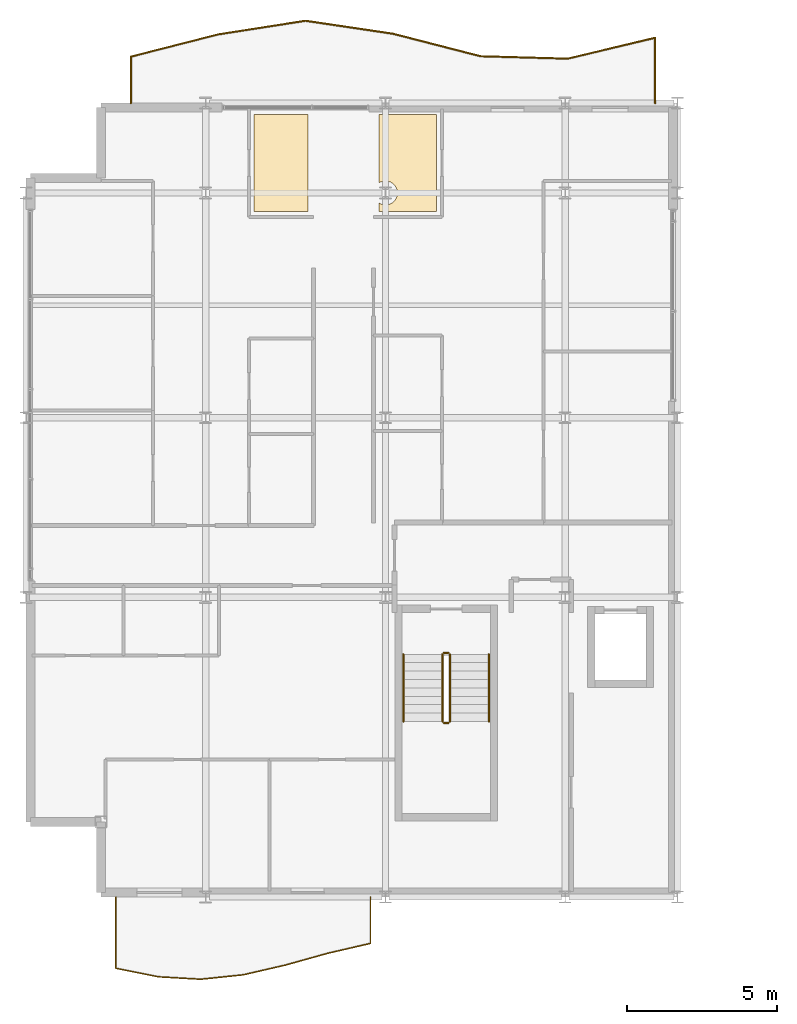
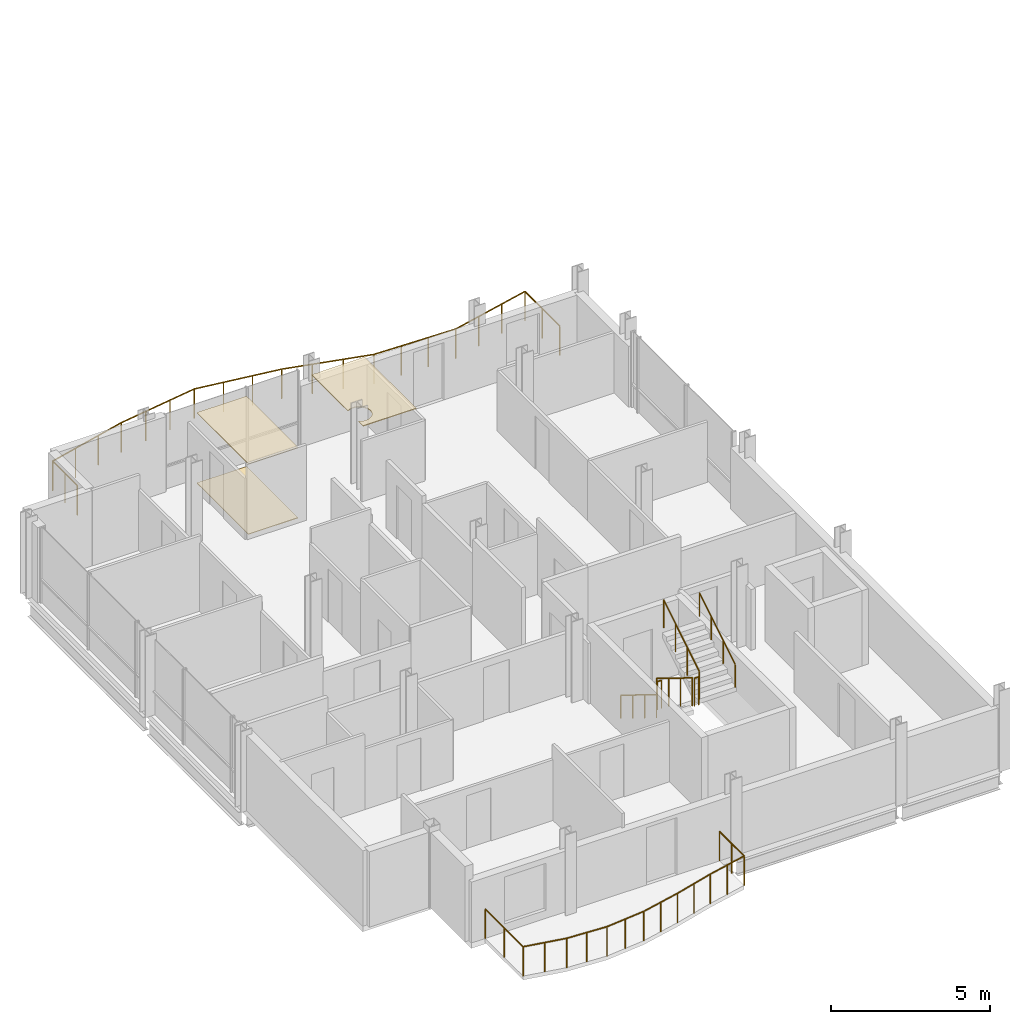
# One storey, part 26 of 27: 8 railings, 3 coverings.
"""IFC4 building model written with IfcOpenShell, lengths in metres."""

from ifc_helpers import new_model, si_unit, direction, frame, origin, origin_2d, place, context, subcontext, project, spatial, polyline, circle, outline, extrude, material, layer, layer_set, type_object, element, save


model = new_model("IFC4")

# Units and contexts
model_context = context("Model", 3, precision=1e-05, world=origin(), true_north=direction((0.0, 1.0)))
body_context = subcontext(model_context, "Body", "Model", "MODEL_VIEW")
ifc_project = project(units=[si_unit("LENGTHUNIT", "METRE"), si_unit("AREAUNIT", "SQUARE_METRE"), si_unit("VOLUMEUNIT", "CUBIC_METRE"), si_unit("PLANEANGLEUNIT", "RADIAN"), si_unit("MASSUNIT", "GRAM", prefix="KILO")], contexts=[model_context])

# Site, building, storey
site_placement = place(None, origin())
site = spatial("IfcSite", under=ifc_project, at=site_placement, CompositionType="ELEMENT")
building_placement = place(site_placement, origin())
building = spatial("IfcBuilding", under=site, at=building_placement, Name="Brevholm Reach", CompositionType="ELEMENT")
storey_placement = place(building_placement, frame((0.0, 0.0, 195.60009765625)))
storey = spatial("IfcBuildingStorey", under=building, at=storey_placement, Name="L59", CompositionType="ELEMENT", Elevation=195.60009765625)

# Coverings
ifc_material_1 = material(Name="Moisture-Resistant Skimmed Gypsum Plasterboard Ceiling", Category="gypsum")
ifc_layer_1 = layer(ifc_material_1, 0.030029296875)
ifc_layer_set_1 = layer_set([ifc_layer_1], Name="Moisture-Resistant Skimmed Gypsum Plasterboard Ceiling")
covering_type_1 = type_object("IfcCoveringType", Name="COV-CLG-GYP", PredefinedType="CEILING", material=ifc_layer_set_1)
covering_1_placement = place(storey_placement, frame((0.0, 0.0, 2.68994140625)))
element("IfcCovering", 1, at=covering_1_placement, inside=storey, type_object=covering_type_1, Name="L59 Suspended Ceiling L59-28", PredefinedType="CEILING", context=body_context, shape_type="SweptSolid", body=[
    extrude(outline(polyline([(7.617919921875, 26.1201171875), (9.419921875, 26.1201171875), (9.419921875, 22.8798828125), (7.617919921875, 22.8798828125), (7.617919921875, 26.1201171875)])), origin(), (0.0, 0.0, 1.0), 0.030029296875),
])
covering_2_placement = place(storey_placement, frame((0.0, 0.0, 2.68994140625)))
element("IfcCovering", 2, at=covering_2_placement, inside=storey, type_object=covering_type_1, Name="L59 Suspended Ceiling L59-35", PredefinedType="CEILING", context=body_context, shape_type="SweptSolid", body=[
    extrude(outline(polyline([(11.780029296875, 23.166015625), (11.811279296875, 23.147216796875), (11.846923828125, 23.13037109375), (11.8837890625, 23.1171875), (11.922119140625, 23.107666015625), (11.960693359375, 23.101806640625), (12.0, 23.10009765625), (12.039306640625, 23.101806640625), (12.077880859375, 23.107666015625), (12.1162109375, 23.1171875), (12.153076171875, 23.13037109375), (12.188720703125, 23.147216796875), (12.22216796875, 23.16748046875), (12.25390625, 23.19091796875), (12.28271484375, 23.21728515625), (12.30908203125, 23.24609375), (12.33251953125, 23.27783203125), (12.352783203125, 23.311279296875), (12.36962890625, 23.346923828125), (12.3828125, 23.3837890625), (12.392333984375, 23.422119140625), (12.398193359375, 23.460693359375), (12.39990234375, 23.5), (12.398193359375, 23.539306640625), (12.392333984375, 23.577880859375), (12.3828125, 23.6162109375), (12.36962890625, 23.653076171875), (12.352783203125, 23.688720703125), (12.33251953125, 23.72216796875), (12.30908203125, 23.75390625), (12.28271484375, 23.78271484375), (12.25390625, 23.80908203125), (12.22216796875, 23.83251953125), (12.188720703125, 23.852783203125), (12.153076171875, 23.86962890625), (12.1162109375, 23.8828125), (12.077880859375, 23.892333984375), (12.039306640625, 23.898193359375), (12.0, 23.89990234375), (11.960693359375, 23.898193359375), (11.922119140625, 23.892333984375), (11.8837890625, 23.8828125), (11.846923828125, 23.86962890625), (11.811279296875, 23.852783203125), (11.780029296875, 23.833984375), (11.780029296875, 26.1201171875), (11.876220703125, 26.1201171875), (11.8837890625, 26.1171875), (11.922119140625, 26.107666015625), (11.960693359375, 26.101806640625), (12.0, 26.10009765625), (12.039306640625, 26.101806640625), (12.077880859375, 26.107666015625), (12.1162109375, 26.1171875), (12.123779296875, 26.1201171875), (13.708984375, 26.1201171875), (13.708984375, 22.8798828125), (11.780029296875, 22.8798828125), (11.780029296875, 23.166015625)])), origin(), (0.0, 0.0, 1.0), 0.030029296875),
])
ifc_material_2 = material(Name="Engineered European Oak Acoustic Plank Flooring", Category="timber")
ifc_layer_2 = layer(ifc_material_2, 0.02197265625)
ifc_layer_set_2 = layer_set([ifc_layer_2], Name="Engineered European Oak Acoustic Plank Flooring")
covering_type_2 = type_object("IfcCoveringType", Name="COV-FLR-OAK", PredefinedType="FLOORING", material=ifc_layer_set_2)
covering_3_placement = place(storey_placement, origin())
element("IfcCovering", 3, at=covering_3_placement, inside=storey, type_object=covering_type_2, Name="L59 Floor Finish L59-28", PredefinedType="FLOORING", context=body_context, shape_type="SweptSolid", body=[
    extrude(outline(polyline([(7.617919921875, 26.1201171875), (9.419921875, 26.1201171875), (9.419921875, 22.8798828125), (7.617919921875, 22.8798828125), (7.617919921875, 26.1201171875)])), origin(), (0.0, 0.0, 1.0), 0.02197265625),
])

# Railings
ifc_material_3 = material(Name="Brushed Stainless Steel EN 1.4401 and Laminated Glass", Category="steel")
railing_type_1 = type_object("IfcRailingType", Name="RAL-BALC-1150", PredefinedType="BALUSTRADE", material=ifc_material_3)
railing_1_placement = place(storey_placement, frame((21.0, 26.5, 0.0)))
element("IfcRailing", 4, at=railing_1_placement, inside=storey, type_object=railing_type_1, Name="L59 Guard Balustrade RAL-L59-BAL-NW", PredefinedType="BALUSTRADE", context=body_context, shape_type="SweptSolid", body=[
    extrude(circle(Radius=0.02392578125, at=origin_2d()), frame((0.0, 0.0, 1.1259765625), z_axis=(0.0, 1.0, 0.0), x_axis=(-1.0, 0.0, 0.0)), (0.0, 0.0, 1.0), 2.1806640625),
    extrude(circle(Radius=0.02392578125, at=origin_2d()), frame((0.0, 2.1806640625, 1.1259765625), z_axis=(-0.972687280988, -0.232119480882, 0.0), x_axis=(0.232119480882, -0.972687280988, 0.0)), (0.0, 0.0, 1.0), 2.99853515625),
    extrude(circle(Radius=0.02392578125, at=origin_2d()), frame((-2.916748046875, 1.484619140625, 1.1259765625), z_axis=(-0.999614033457, 0.027781002771, 0.0), x_axis=(-0.027781002771, -0.999614033457, 0.0)), (0.0, 0.0, 1.0), 2.917724609375),
    extrude(circle(Radius=0.02392578125, at=origin_2d()), frame((-5.833251953125, 1.565673828125, 1.1259765625), z_axis=(-0.968396782901, 0.249414656482, 0.0), x_axis=(-0.249414656482, -0.968396782901, 0.0)), (0.0, 0.0, 1.0), 3.011962890625),
    extrude(circle(Radius=0.02392578125, at=origin_2d()), frame((-8.75, 2.31689453125, 1.1259765625), z_axis=(-0.989154508095, 0.146878722471, 0.0), x_axis=(-0.146878722471, -0.989154508095, 0.0)), (0.0, 0.0, 1.0), 2.94873046875),
    extrude(circle(Radius=0.02392578125, at=origin_2d()), frame((-11.666748046875, 2.75, 1.1259765625), z_axis=(-0.988044338858, -0.154169985571, 0.0), x_axis=(0.154169985571, -0.988044338858, 0.0)), (0.0, 0.0, 1.0), 2.951904296875),
    extrude(circle(Radius=0.02392578125, at=origin_2d()), frame((-14.583251953125, 2.294921875, 1.1259765625), z_axis=(-0.968923500885, -0.24736056564, 0.0), x_axis=(0.24736056564, -0.968923500885, 0.0)), (0.0, 0.0, 1.0), 3.01025390625),
    extrude(circle(Radius=0.02392578125, at=origin_2d()), frame((-17.5, 1.55029296875, 1.1259765625), z_axis=(0.0, -1.0, 0.0), x_axis=(1.0, 0.0, 0.0)), (0.0, 0.0, 1.0), 1.55029296875),
    extrude(circle(Radius=0.02099609375, at=origin_2d()), origin(), (0.0, 0.0, 1.0), 1.101806640625),
    extrude(circle(Radius=0.02099609375, at=origin_2d()), frame((0.0, 1.09033203125, 0.0)), (0.0, 0.0, 1.0), 1.101806640625),
    extrude(circle(Radius=0.02099609375, at=origin_2d()), frame((0.0, 2.1806640625, 0.0)), (0.0, 0.0, 1.0), 1.101806640625),
    extrude(circle(Radius=0.02099609375, at=origin_2d()), frame((-0.97216796875, 1.94873046875, 0.0)), (0.0, 0.0, 1.0), 1.101806640625),
    extrude(circle(Radius=0.02099609375, at=origin_2d()), frame((-1.944580078125, 1.716552734375, 0.0)), (0.0, 0.0, 1.0), 1.101806640625),
    extrude(circle(Radius=0.02099609375, at=origin_2d()), frame((-2.916748046875, 1.484619140625, 0.0)), (0.0, 0.0, 1.0), 1.101806640625),
    extrude(circle(Radius=0.02099609375, at=origin_2d()), frame((-3.888916015625, 1.51171875, 0.0)), (0.0, 0.0, 1.0), 1.101806640625),
    extrude(circle(Radius=0.02099609375, at=origin_2d()), frame((-4.861083984375, 1.53857421875, 0.0)), (0.0, 0.0, 1.0), 1.101806640625),
    extrude(circle(Radius=0.02099609375, at=origin_2d()), frame((-5.833251953125, 1.565673828125, 0.0)), (0.0, 0.0, 1.0), 1.101806640625),
    extrude(circle(Radius=0.02099609375, at=origin_2d()), frame((-6.805419921875, 1.816162109375, 0.0)), (0.0, 0.0, 1.0), 1.101806640625),
    extrude(circle(Radius=0.02099609375, at=origin_2d()), frame((-7.77783203125, 2.06640625, 0.0)), (0.0, 0.0, 1.0), 1.101806640625),
    extrude(circle(Radius=0.02099609375, at=origin_2d()), frame((-8.75, 2.31689453125, 0.0)), (0.0, 0.0, 1.0), 1.101806640625),
    extrude(circle(Radius=0.02099609375, at=origin_2d()), frame((-9.72216796875, 2.461181640625, 0.0)), (0.0, 0.0, 1.0), 1.101806640625),
    extrude(circle(Radius=0.02099609375, at=origin_2d()), frame((-10.694580078125, 2.605712890625, 0.0)), (0.0, 0.0, 1.0), 1.101806640625),
    extrude(circle(Radius=0.02099609375, at=origin_2d()), frame((-11.666748046875, 2.75, 0.0)), (0.0, 0.0, 1.0), 1.101806640625),
    extrude(circle(Radius=0.02099609375, at=origin_2d()), frame((-12.638916015625, 2.598388671875, 0.0)), (0.0, 0.0, 1.0), 1.101806640625),
    extrude(circle(Radius=0.02099609375, at=origin_2d()), frame((-13.611083984375, 2.446533203125, 0.0)), (0.0, 0.0, 1.0), 1.101806640625),
    extrude(circle(Radius=0.02099609375, at=origin_2d()), frame((-14.583251953125, 2.294921875, 0.0)), (0.0, 0.0, 1.0), 1.101806640625),
    extrude(circle(Radius=0.02099609375, at=origin_2d()), frame((-15.555419921875, 2.046630859375, 0.0)), (0.0, 0.0, 1.0), 1.101806640625),
    extrude(circle(Radius=0.02099609375, at=origin_2d()), frame((-16.52783203125, 1.798583984375, 0.0)), (0.0, 0.0, 1.0), 1.101806640625),
    extrude(circle(Radius=0.02099609375, at=origin_2d()), frame((-17.5, 1.55029296875, 0.0)), (0.0, 0.0, 1.0), 1.101806640625),
    extrude(circle(Radius=0.02099609375, at=origin_2d()), frame((-17.5, 0.775146484375, 0.0)), (0.0, 0.0, 1.0), 1.101806640625),
    extrude(circle(Radius=0.02099609375, at=origin_2d()), frame((-17.5, 0.0, 0.0)), (0.0, 0.0, 1.0), 1.101806640625),
])
railing_2_placement = place(storey_placement, frame((3.0, 0.0, 0.0)))
element("IfcRailing", 5, at=railing_2_placement, inside=storey, type_object=railing_type_1, Name="L59 Guard Balustrade RAL-L59-BAL-SW", PredefinedType="BALUSTRADE", context=body_context, shape_type="SweptSolid", body=[
    extrude(circle(Radius=0.02392578125, at=origin_2d()), frame((0.0, 0.0, 1.1259765625), z_axis=(0.0, -1.0, 0.0), x_axis=(1.0, 0.0, 0.0)), (0.0, 0.0, 1.0), 2.38134765625),
    extrude(circle(Radius=0.02392578125, at=origin_2d()), frame((0.0, -2.38134765625, 1.1259765625), z_axis=(0.980502614423, -0.196506038355, 0.0), x_axis=(0.196506038355, 0.980502614423, 0.0)), (0.0, 0.0, 1.0), 1.44482421875),
    extrude(circle(Radius=0.02392578125, at=origin_2d()), frame((1.416748046875, -2.665283203125, 1.1259765625), z_axis=(0.998327360231, -0.057814200799, 0.0), x_axis=(0.057814200799, 0.998327360231, 0.0)), (0.0, 0.0, 1.0), 1.4189453125),
    extrude(circle(Radius=0.02392578125, at=origin_2d()), frame((2.833251953125, -2.747314453125, 1.1259765625), z_axis=(0.994609205974, 0.103694394212, 0.0), x_axis=(-0.103694394212, 0.994609205974, 0.0)), (0.0, 0.0, 1.0), 1.42431640625),
    extrude(circle(Radius=0.02392578125, at=origin_2d()), frame((4.25, -2.599609375, 1.1259765625), z_axis=(0.974360057668, 0.224994395533, 0.0), x_axis=(-0.224994395533, 0.974360057668, 0.0)), (0.0, 0.0, 1.0), 1.4541015625),
    extrude(circle(Radius=0.02392578125, at=origin_2d()), frame((5.666748046875, -2.2724609375, 1.1259765625), z_axis=(0.963289212232, 0.268465814578, 0.0), x_axis=(-0.268465814578, 0.963289212232, 0.0)), (0.0, 0.0, 1.0), 1.470458984375),
    extrude(circle(Radius=0.02392578125, at=origin_2d()), frame((7.083251953125, -1.877685546875, 1.1259765625), z_axis=(0.974323236677, 0.225153792932, 0.0), x_axis=(-0.225153792932, 0.974323236677, 0.0)), (0.0, 0.0, 1.0), 1.4541015625),
    extrude(circle(Radius=0.02392578125, at=origin_2d()), frame((8.5, -1.55029296875, 1.1259765625), z_axis=(0.0, 1.0, 0.0), x_axis=(-1.0, 0.0, 0.0)), (0.0, 0.0, 1.0), 1.55029296875),
    extrude(circle(Radius=0.02099609375, at=origin_2d()), origin(), (0.0, 0.0, 1.0), 1.101806640625),
    extrude(circle(Radius=0.02099609375, at=origin_2d()), frame((0.0, -1.190673828125, 0.0)), (0.0, 0.0, 1.0), 1.101806640625),
    extrude(circle(Radius=0.02099609375, at=origin_2d()), frame((0.0, -2.38134765625, 0.0)), (0.0, 0.0, 1.0), 1.101806640625),
    extrude(circle(Radius=0.02099609375, at=origin_2d()), frame((0.70849609375, -2.5234375, 0.0)), (0.0, 0.0, 1.0), 1.101806640625),
    extrude(circle(Radius=0.02099609375, at=origin_2d()), frame((1.416748046875, -2.665283203125, 0.0)), (0.0, 0.0, 1.0), 1.101806640625),
    extrude(circle(Radius=0.02099609375, at=origin_2d()), frame((2.125, -2.706298828125, 0.0)), (0.0, 0.0, 1.0), 1.101806640625),
    extrude(circle(Radius=0.02099609375, at=origin_2d()), frame((2.833251953125, -2.747314453125, 0.0)), (0.0, 0.0, 1.0), 1.101806640625),
    extrude(circle(Radius=0.02099609375, at=origin_2d()), frame((3.54150390625, -2.67333984375, 0.0)), (0.0, 0.0, 1.0), 1.101806640625),
    extrude(circle(Radius=0.02099609375, at=origin_2d()), frame((4.25, -2.599609375, 0.0)), (0.0, 0.0, 1.0), 1.101806640625),
    extrude(circle(Radius=0.02099609375, at=origin_2d()), frame((4.95849609375, -2.43603515625, 0.0)), (0.0, 0.0, 1.0), 1.101806640625),
    extrude(circle(Radius=0.02099609375, at=origin_2d()), frame((5.666748046875, -2.2724609375, 0.0)), (0.0, 0.0, 1.0), 1.101806640625),
    extrude(circle(Radius=0.02099609375, at=origin_2d()), frame((6.375, -2.0751953125, 0.0)), (0.0, 0.0, 1.0), 1.101806640625),
    extrude(circle(Radius=0.02099609375, at=origin_2d()), frame((7.083251953125, -1.877685546875, 0.0)), (0.0, 0.0, 1.0), 1.101806640625),
    extrude(circle(Radius=0.02099609375, at=origin_2d()), frame((7.79150390625, -1.7138671875, 0.0)), (0.0, 0.0, 1.0), 1.101806640625),
    extrude(circle(Radius=0.02099609375, at=origin_2d()), frame((8.5, -1.55029296875, 0.0)), (0.0, 0.0, 1.0), 1.101806640625),
    extrude(circle(Radius=0.02099609375, at=origin_2d()), frame((8.5, -0.775146484375, 0.0)), (0.0, 0.0, 1.0), 1.101806640625),
    extrude(circle(Radius=0.02099609375, at=origin_2d()), frame((8.5, 0.0, 0.0)), (0.0, 0.0, 1.0), 1.101806640625),
])
ifc_material_4 = material(Name="Brushed Stainless Steel EN 1.4401 Continuous Handrail", Category="steel")
railing_type_2 = type_object("IfcRailingType", Name="RAL-HND-950", PredefinedType="HANDRAIL", material=ifc_material_4)
railing_3_placement = place(storey_placement, frame((12.60009765625, 8.10009765625, 0.172119140625)))
element("IfcRailing", 6, at=railing_3_placement, inside=storey, type_object=railing_type_2, Name="L59 ST-1 stair handrail 1", PredefinedType="HANDRAIL", context=body_context, shape_type="SweptSolid", body=[
    extrude(circle(Radius=0.02392578125, at=origin_2d()), frame((0.0, 0.0, 0.8857421875), z_axis=(0.0, -0.85178898068, 0.523885037382), x_axis=(1.0, 0.0, 0.0)), (0.0, 0.0, 1.0), 2.629638671875),
    extrude(circle(Radius=0.02099609375, at=origin_2d()), origin(), (0.0, 0.0, 1.0), 0.86181640625),
    extrude(circle(Radius=0.02099609375, at=origin_2d()), frame((0.0, -0.74658203125, 0.459228515625)), (0.0, 0.0, 1.0), 0.86181640625),
    extrude(circle(Radius=0.02099609375, at=origin_2d()), frame((0.0, -1.493408203125, 0.91845703125)), (0.0, 0.0, 1.0), 0.86181640625),
    extrude(circle(Radius=0.02099609375, at=origin_2d()), frame((0.0, -2.239990234375, 1.377685546875)), (0.0, 0.0, 1.0), 0.86181640625),
])
railing_4_placement = place(storey_placement, frame((15.449951171875, 5.860107421875, 1.72216796875)))
element("IfcRailing", 7, at=railing_4_placement, inside=storey, type_object=railing_type_2, Name="L59 ST-1 stair handrail 2", PredefinedType="HANDRAIL", context=body_context, shape_type="SweptSolid", body=[
    extrude(circle(Radius=0.02392578125, at=origin_2d()), frame((0.0, 0.0, 0.8857421875), z_axis=(0.0, 0.85178898068, 0.523885037382), x_axis=(-1.0, 0.0, 0.0)), (0.0, 0.0, 1.0), 2.629638671875),
    extrude(circle(Radius=0.02099609375, at=origin_2d()), origin(), (0.0, 0.0, 1.0), 0.86181640625),
    extrude(circle(Radius=0.02099609375, at=origin_2d()), frame((0.0, 0.74658203125, 0.459228515625)), (0.0, 0.0, 1.0), 0.86181640625),
    extrude(circle(Radius=0.02099609375, at=origin_2d()), frame((0.0, 1.493408203125, 0.91845703125)), (0.0, 0.0, 1.0), 0.86181640625),
    extrude(circle(Radius=0.02099609375, at=origin_2d()), frame((0.0, 2.239990234375, 1.377685546875)), (0.0, 0.0, 1.0), 0.86181640625),
])
ifc_material_5 = material(Name="Painted Tubular Galvanised Steel S275JR Stair Guard", Category="steel")
railing_type_3 = type_object("IfcRailingType", Name="RAL-STG-1120", PredefinedType="BALUSTRADE", material=ifc_material_5)
railing_5_placement = place(storey_placement, frame((13.89990234375, 8.10009765625, 0.172119140625)))
element("IfcRailing", 8, at=railing_5_placement, inside=storey, type_object=railing_type_3, Name="L59 ST-1 stair guard 1", PredefinedType="BALUSTRADE", context=body_context, shape_type="SweptSolid", body=[
    extrude(circle(Radius=0.02392578125, at=origin_2d()), frame((0.0, 0.0, 1.076171875), z_axis=(0.0, -0.85178898068, 0.523885037382), x_axis=(1.0, 0.0, 0.0)), (0.0, 0.0, 1.0), 2.629638671875),
    extrude(circle(Radius=0.02099609375, at=origin_2d()), origin(), (0.0, 0.0, 1.0), 1.052001953125),
    extrude(circle(Radius=0.02099609375, at=origin_2d()), frame((0.0, -0.74658203125, 0.459228515625)), (0.0, 0.0, 1.0), 1.052001953125),
    extrude(circle(Radius=0.02099609375, at=origin_2d()), frame((0.0, -1.493408203125, 0.91845703125)), (0.0, 0.0, 1.0), 1.052001953125),
    extrude(circle(Radius=0.02099609375, at=origin_2d()), frame((0.0, -2.239990234375, 1.377685546875)), (0.0, 0.0, 1.0), 1.052001953125),
])
railing_6_placement = place(storey_placement, frame((13.949951171875, 5.81005859375, 1.5498046875)))
element("IfcRailing", 9, at=railing_6_placement, inside=storey, type_object=railing_type_3, Name="L59 ST-1 stair guard 2", PredefinedType="BALUSTRADE", context=body_context, shape_type="SweptSolid", body=[
    extrude(circle(Radius=0.02392578125, at=origin_2d()), frame((0.0, 0.0, 1.076171875), z_axis=(1.0, 0.0, 0.0), x_axis=(0.0, 1.0, 0.0)), (0.0, 0.0, 1.0), 0.150146484375),
    extrude(circle(Radius=0.02099609375, at=origin_2d()), origin(), (0.0, 0.0, 1.0), 1.052001953125),
    extrude(circle(Radius=0.02099609375, at=origin_2d()), frame((0.150146484375, 0.0, 0.0)), (0.0, 0.0, 1.0), 1.052001953125),
])
railing_7_placement = place(storey_placement, frame((14.14990234375, 5.860107421875, 1.72216796875)))
element("IfcRailing", 10, at=railing_7_placement, inside=storey, type_object=railing_type_3, Name="L59 ST-1 stair guard 3", PredefinedType="BALUSTRADE", context=body_context, shape_type="SweptSolid", body=[
    extrude(circle(Radius=0.02392578125, at=origin_2d()), frame((0.0, 0.0, 1.076171875), z_axis=(0.0, 0.85178898068, 0.523885037382), x_axis=(-1.0, 0.0, 0.0)), (0.0, 0.0, 1.0), 2.629638671875),
    extrude(circle(Radius=0.02099609375, at=origin_2d()), origin(), (0.0, 0.0, 1.0), 1.052001953125),
    extrude(circle(Radius=0.02099609375, at=origin_2d()), frame((0.0, 0.74658203125, 0.459228515625)), (0.0, 0.0, 1.0), 1.052001953125),
    extrude(circle(Radius=0.02099609375, at=origin_2d()), frame((0.0, 1.493408203125, 0.91845703125)), (0.0, 0.0, 1.0), 1.052001953125),
    extrude(circle(Radius=0.02099609375, at=origin_2d()), frame((0.0, 2.239990234375, 1.377685546875)), (0.0, 0.0, 1.0), 1.052001953125),
])
railing_8_placement = place(storey_placement, frame((13.949951171875, 8.14990234375, 0.0)))
element("IfcRailing", 11, at=railing_8_placement, inside=storey, type_object=railing_type_3, Name="L59 ST-1 stair guard 4", PredefinedType="BALUSTRADE", context=body_context, shape_type="SweptSolid", body=[
    extrude(circle(Radius=0.02392578125, at=origin_2d()), frame((0.0, 0.0, 1.076171875), z_axis=(1.0, 0.0, 0.0), x_axis=(0.0, 1.0, 0.0)), (0.0, 0.0, 1.0), 0.150146484375),
    extrude(circle(Radius=0.02099609375, at=origin_2d()), origin(), (0.0, 0.0, 1.0), 1.052001953125),
    extrude(circle(Radius=0.02099609375, at=origin_2d()), frame((0.150146484375, 0.0, 0.0)), (0.0, 0.0, 1.0), 1.052001953125),
])

save(model, "model.ifc")
